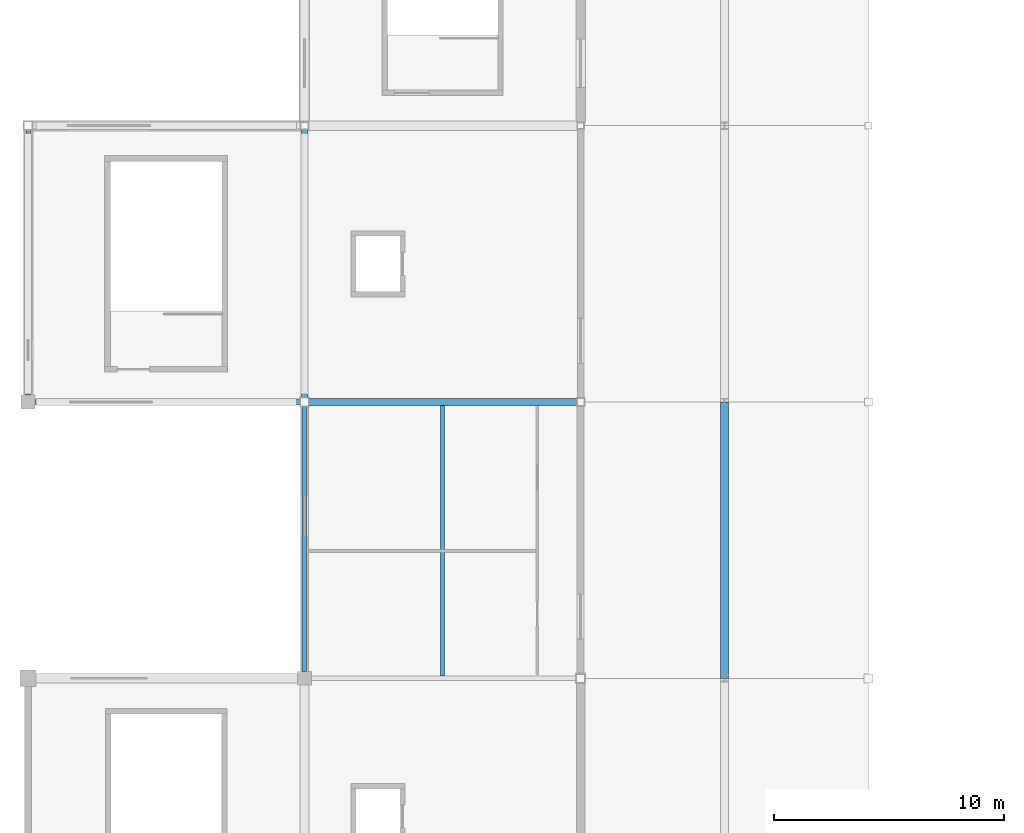
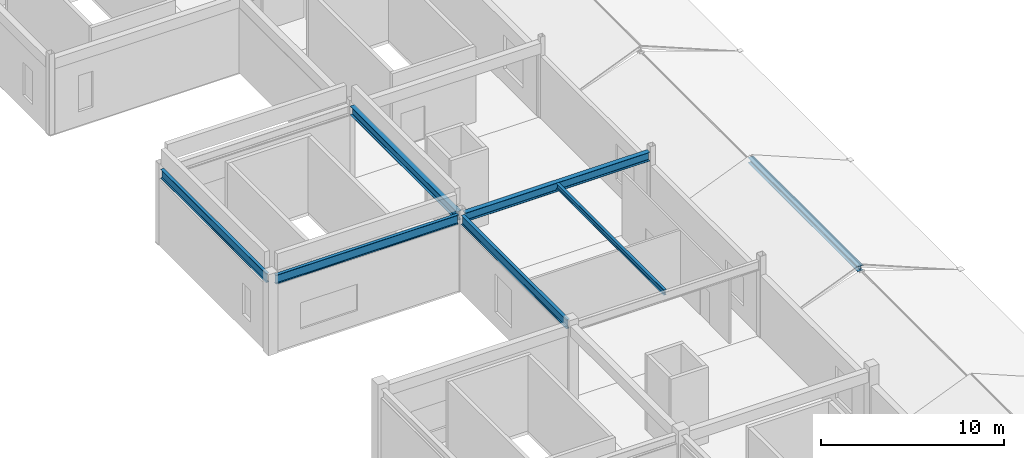
# One storey, part 29 of 76: 6 beams, 1 member.
"""IFC4 building model written with IfcOpenShell, lengths in metres."""

from ifc_helpers import new_model, si_unit, direction, frame, origin, origin_2d, place, context, subcontext, project, spatial, i_section, extrude, material, material_profile, profile_set, type_object, element, save


model = new_model("IFC4")

# Units and contexts
model_context = context("Model", 3, precision=1e-05, world=origin(), true_north=direction((0.0, 1.0)))
body_context = subcontext(model_context, "Body", "Model", "MODEL_VIEW")
ifc_project = project(units=[si_unit("LENGTHUNIT", "METRE"), si_unit("AREAUNIT", "SQUARE_METRE"), si_unit("VOLUMEUNIT", "CUBIC_METRE"), si_unit("PLANEANGLEUNIT", "RADIAN"), si_unit("MASSUNIT", "GRAM", prefix="KILO")], contexts=[model_context])

# Site, building, storey
site_placement = place(None, origin())
site = spatial("IfcSite", under=ifc_project, at=site_placement, CompositionType="ELEMENT")
building_placement = place(site_placement, origin())
building = spatial("IfcBuilding", under=site, at=building_placement, Name="Kazenohara Klinker Stadium", CompositionType="ELEMENT")
storey_placement = place(building_placement, frame((0.0, 0.0, 25.800048828125)))
storey = spatial("IfcBuildingStorey", under=building, at=storey_placement, Name="L05", CompositionType="ELEMENT", Elevation=25.800048828125)

# Beams
ifc_material = material(Name="Steel S355", Category="steel")
ifc_material_profile_1 = material_profile(ifc_material, i_section(OverallWidth=0.175048828125, OverallDepth=0.35009765625, WebThickness=0.007080078125, FlangeThickness=0.010986328125, FilletRadius=0.012939453125, at=origin_2d()), Name="H-350x175x7x11")
ifc_profile_set_1 = profile_set([ifc_material_profile_1], Name="Steel S355")
beam_type_1 = type_object("IfcBeamType", Name="BM-JST04", PredefinedType="JOIST", material=ifc_profile_set_1)
beam_placement = place(storey_placement, frame((18.0, 72.10009765625, 4.864990234375), z_axis=(0.0, 1.0, 0.0), x_axis=(-1.0, 0.0, 0.0)))
element("IfcBeam", 1, at=beam_placement, inside=storey, type_object=beam_type_1, Name="Secondary floor joist SJ04 L05 2/G", PredefinedType="JOIST", context=body_context, shape_type="SweptSolid", body=[
    extrude(i_section(OverallWidth=0.175048828125, OverallDepth=0.35009765625, WebThickness=0.007080078125, FlangeThickness=0.010986328125, FilletRadius=0.012939453125, at=origin_2d()), origin(), (0.0, 0.0, 1.0), 11.75),
])
ifc_material_profile_2 = material_profile(ifc_material, i_section(OverallWidth=0.199951171875, OverallDepth=0.60009765625, WebThickness=0.010986328125, FlangeThickness=0.01708984375, FilletRadius=0.012939453125, at=origin_2d()), Name="H-600x200x11x17")
ifc_profile_set_2 = profile_set([ifc_material_profile_2], Name="Steel S355")
beam_type_2 = type_object("IfcBeamType", Name="BM-ST04", PredefinedType="BEAM", material=ifc_profile_set_2)
for number, where, z_axis, x_axis, name in (
    (2, (0.300048828125, 84.0, 4.739990234375), (1.0, 0.0, 0.0), (0.0, 1.0, 0.0), "Primary girder SB04 L05 1-2/H"),
    (3, (0.0, 84.300048828125, 4.739990234375), (0.0, 1.0, 0.0), (-1.0, 0.0, 0.0), "Primary girder SB04 L05 1/H-J"),
    (4, (12.0, 72.300048828125, 4.739990234375), (0.0, 1.0, 0.0), (-1.0, 0.0, 0.0), "Primary girder SB04 L05 2/G-H"),
):
    element("IfcBeam", number, at=place(storey_placement, frame(where, z_axis=z_axis, x_axis=x_axis)), inside=storey, type_object=beam_type_2, Name=name, PredefinedType="BEAM", context=body_context, shape_type="SweptSolid", body=[
        extrude(i_section(OverallWidth=0.199951171875, OverallDepth=0.60009765625, WebThickness=0.010986328125, FlangeThickness=0.01708984375, FilletRadius=0.012939453125, at=origin_2d()), origin(), (0.0, 0.0, 1.0), 11.5),
    ])
ifc_material_profile_3 = material_profile(ifc_material, i_section(OverallWidth=0.300048828125, OverallDepth=0.587890625, WebThickness=0.011962890625, FlangeThickness=0.02001953125, FilletRadius=0.02197265625, at=origin_2d()), Name="H-588x300x12x20")
ifc_profile_set_3 = profile_set([ifc_material_profile_3], Name="Steel S355")
beam_type_3 = type_object("IfcBeamType", Name="BM-ST05", PredefinedType="BEAM", material=ifc_profile_set_3)
for number, where, z_axis, x_axis, name in (
    (5, (12.199951171875, 84.0, 4.745849609375), (1.0, 0.0, 0.0), (0.0, 1.0, 0.0), "Primary girder SB05 L05 2-3/H"),
    (6, (12.0, 84.199951171875, 4.745849609375), (0.0, 1.0, 0.0), (-1.0, 0.0, 0.0), "Primary girder SB05 L05 2/H-J"),
):
    element("IfcBeam", number, at=place(storey_placement, frame(where, z_axis=z_axis, x_axis=x_axis)), inside=storey, type_object=beam_type_3, Name=name, PredefinedType="BEAM", context=body_context, shape_type="SweptSolid", body=[
        extrude(i_section(OverallWidth=0.300048828125, OverallDepth=0.587890625, WebThickness=0.011962890625, FlangeThickness=0.02001953125, FilletRadius=0.02197265625, at=origin_2d()), origin(), (0.0, 0.0, 1.0), 11.625),
    ])

# Member
ifc_material_profile_4 = material_profile(ifc_material, i_section(OverallWidth=0.35009765625, OverallDepth=0.35009765625, WebThickness=0.011962890625, FlangeThickness=0.01904296875, FilletRadius=0.012939453125, at=origin_2d()), Name="H-350x350x12x19")
ifc_profile_set_4 = profile_set([ifc_material_profile_4], Name="Steel S355")
member_type = type_object("IfcMemberType", Name="MEM-CHD02", PredefinedType="CHORD", material=ifc_profile_set_4)
member_placement = place(storey_placement, frame((30.25, 72.0, 2.22998046875), z_axis=(0.0, 1.0, 0.0), x_axis=(-1.0, 0.0, 0.0)))
element("IfcMember", 7, at=member_placement, inside=storey, type_object=member_type, Name="Stepped pavilion gable ridge beam L05 3/G", PredefinedType="CHORD", context=body_context, shape_type="SweptSolid", body=[
    extrude(i_section(OverallWidth=0.35009765625, OverallDepth=0.35009765625, WebThickness=0.011962890625, FlangeThickness=0.01904296875, FilletRadius=0.012939453125, at=origin_2d()), origin(), (0.0, 0.0, 1.0), 12.0),
])

save(model, "model.ifc")
